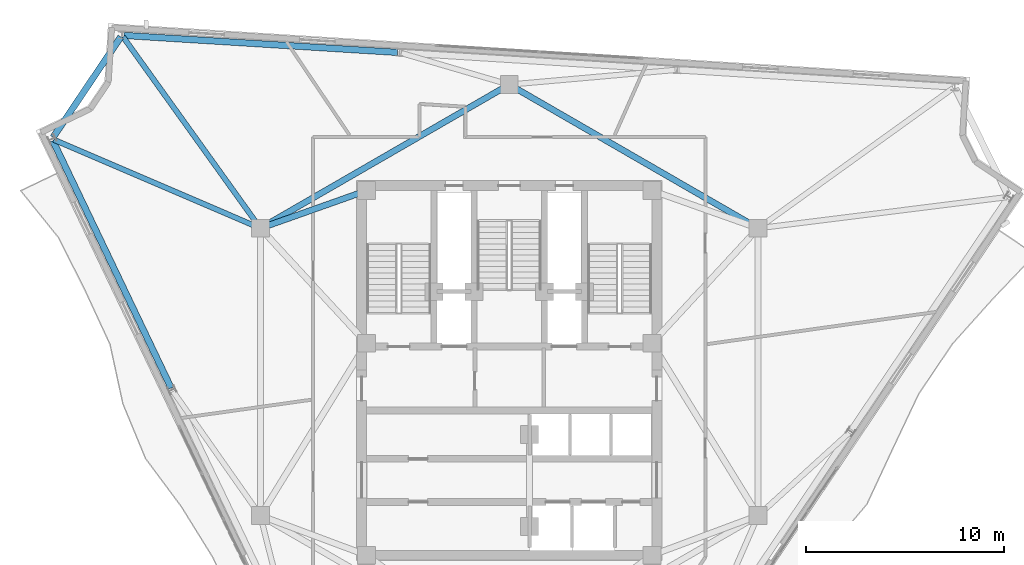
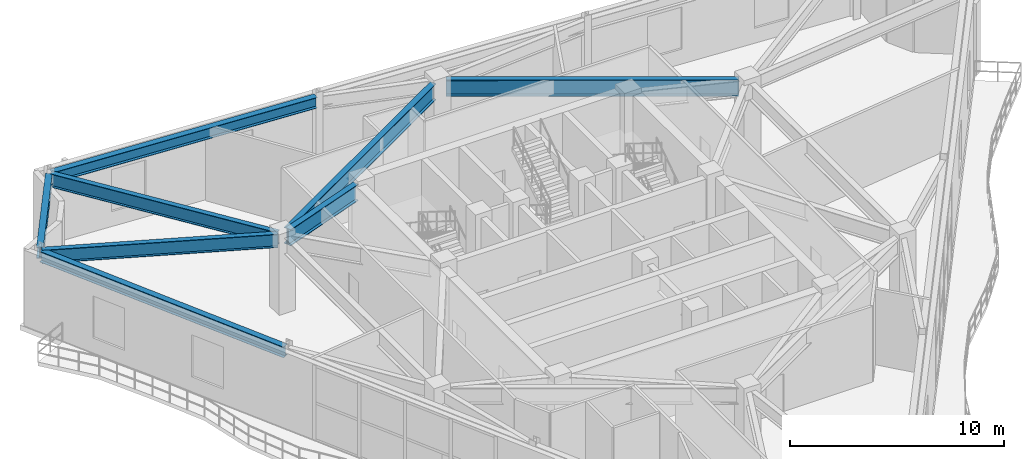
# One storey, part 7 of 15: 8 beams.
"""IFC4 building model written with IfcOpenShell, lengths in metres."""

from ifc_helpers import new_model, si_unit, direction, frame, origin, origin_2d, place, context, subcontext, project, spatial, i_section, extrude, material, material_profile, profile_set, type_object, element, save


model = new_model("IFC4")

# Units and contexts
model_context = context("Model", 3, precision=1e-05, world=origin(), true_north=direction((0.0, 1.0)))
body_context = subcontext(model_context, "Body", "Model", "MODEL_VIEW")
ifc_project = project(units=[si_unit("LENGTHUNIT", "METRE"), si_unit("AREAUNIT", "SQUARE_METRE"), si_unit("VOLUMEUNIT", "CUBIC_METRE"), si_unit("PLANEANGLEUNIT", "RADIAN"), si_unit("MASSUNIT", "GRAM", prefix="KILO")], contexts=[model_context])

# Site, building, storey
site_placement = place(None, origin())
site = spatial("IfcSite", under=ifc_project, at=site_placement, CompositionType="ELEMENT")
building_placement = place(site_placement, origin())
building = spatial("IfcBuilding", under=site, at=building_placement, Name="Apsidion Concourse Tower", CompositionType="ELEMENT")
storey_placement = place(building_placement, frame((0.0, 0.0, 318.800048828125)))
storey = spatial("IfcBuildingStorey", under=building, at=storey_placement, Name="L75", CompositionType="ELEMENT", Elevation=318.800048828125)

# Beams
ifc_material = material(Name="Structural steel ASTM A992 Grade 50", Category="steel")
ifc_material_profile_1 = material_profile(ifc_material, i_section(OverallWidth=0.31005859375, OverallDepth=0.931884765625, WebThickness=0.02099609375, FlangeThickness=0.034423828125, at=origin_2d()), Name="W36X210")
ifc_profile_set_1 = profile_set([ifc_material_profile_1], Name="Structural steel ASTM A992 Grade 50")
beam_type_1 = type_object("IfcBeamType", Name="BM-G-W36", PredefinedType="USERDEFINED", material=ifc_profile_set_1)
beam_1_placement = place(storey_placement, frame((-12.18310546875, 7.383544921875, 3.85400390625), z_axis=(0.942533844539, 0.334110688094, 0.0), x_axis=(-0.334110688094, 0.942533844539, 0.0)))
element("IfcBeam", 1, at=beam_1_placement, inside=storey, type_object=beam_type_1, Name="L75 Core Coupling Girder IC5-SC5", ObjectType="GIRDER", PredefinedType="USERDEFINED", context=body_context, shape_type="SweptSolid", body=[
    extrude(i_section(OverallWidth=0.31005859375, OverallDepth=0.931884765625, WebThickness=0.02099609375, FlangeThickness=0.034423828125, at=origin_2d()), origin(), (0.0, 0.0, 1.0), 4.886962890625),
])
for number, where, z_axis, x_axis, name in (
    (2, (-12.213623046875, 7.449951171875, 3.85400390625), (0.866070471464, 0.499921932364, 0.0), (-0.499921932364, 0.866070471464, 0.0), "L75 Core Coupling Girder IC5-IC4"),
    (3, (0.346435546875, 14.300048828125, 3.85400390625), (0.866070471464, -0.499921932364, 0.0), (0.499921932364, 0.866070471464, 0.0), "L75 Core Coupling Girder IC4-IC3"),
):
    element("IfcBeam", number, at=place(storey_placement, frame(where, z_axis=z_axis, x_axis=x_axis)), inside=storey, type_object=beam_type_1, Name=name, ObjectType="GIRDER", PredefinedType="USERDEFINED", context=body_context, shape_type="SweptSolid", body=[
        extrude(i_section(OverallWidth=0.31005859375, OverallDepth=0.931884765625, WebThickness=0.02099609375, FlangeThickness=0.034423828125, at=origin_2d()), origin(), (0.0, 0.0, 1.0), 13.702392578125),
    ])
ifc_material_profile_2 = material_profile(ifc_material, i_section(OverallWidth=0.324951171875, OverallDepth=0.616943359375, WebThickness=0.013916015625, FlangeThickness=0.021484375, at=origin_2d()), Name="W24X117")
ifc_profile_set_2 = profile_set([ifc_material_profile_2], Name="Structural steel ASTM A992 Grade 50")
beam_type_2 = type_object("IfcBeamType", Name="BM-SP-W24", PredefinedType="SPANDREL", material=ifc_profile_set_2)
for number, where, z_axis, x_axis, name in (
    (4, (-23.0302734375, 11.66845703125, 4.011474609375), (0.431360581796, -0.902179609874, 0.0), (0.902179609874, 0.431360581796, 0.0), "L75 Perimeter Spandrel Girder SP-01"),
    (5, (-5.637939453125, 16.12451171875, 4.011474609375), (-0.998076537228, 0.061993756414, 0.0), (-0.061993756414, -0.998076537228, 0.0), "L75 Perimeter Spandrel Girder SP-11"),
):
    element("IfcBeam", number, at=place(storey_placement, frame(where, z_axis=z_axis, x_axis=x_axis)), inside=storey, type_object=beam_type_2, Name=name, PredefinedType="SPANDREL", context=body_context, shape_type="SweptSolid", body=[
        extrude(i_section(OverallWidth=0.324951171875, OverallDepth=0.616943359375, WebThickness=0.013916015625, FlangeThickness=0.021484375, at=origin_2d()), origin(), (0.0, 0.0, 1.0), 13.834716796875),
    ])
beam_2_placement = place(storey_placement, frame((-19.601806640625, 16.905517578125, 4.011474609375), z_axis=(-0.559174891641, -0.829049721403, 0.0), x_axis=(0.829049721403, -0.559174891641, 0.0)))
element("IfcBeam", 6, at=beam_2_placement, inside=storey, type_object=beam_type_2, Name="L75 Perimeter Spandrel Girder SP-12", PredefinedType="SPANDREL", context=body_context, shape_type="SweptSolid", body=[
    extrude(i_section(OverallWidth=0.324951171875, OverallDepth=0.616943359375, WebThickness=0.013916015625, FlangeThickness=0.021484375, at=origin_2d()), origin(), (0.0, 0.0, 1.0), 6.108154296875),
])
ifc_material_profile_3 = material_profile(ifc_material, i_section(OverallWidth=0.26806640625, OverallDepth=0.77001953125, WebThickness=0.015625, FlangeThickness=0.025390625, at=origin_2d()), Name="W30X132")
ifc_profile_set_3 = profile_set([ifc_material_profile_3], Name="Structural steel ASTM A992 Grade 50")
beam_type_3 = type_object("IfcBeamType", Name="BM-SP-W30", PredefinedType="SPANDREL", material=ifc_profile_set_3)
beam_3_placement = place(storey_placement, frame((-12.76220703125, 7.336669921875, 3.93505859375), z_axis=(-0.919050742632, 0.3941392298, 0.0), x_axis=(-0.3941392298, -0.919050742632, 0.0)))
element("IfcBeam", 7, at=beam_3_placement, inside=storey, type_object=beam_type_3, Name="L75 Radial Floor Girder RAD-01", PredefinedType="SPANDREL", context=body_context, shape_type="SweptSolid", body=[
    extrude(i_section(OverallWidth=0.26806640625, OverallDepth=0.77001953125, WebThickness=0.015625, FlangeThickness=0.025390625, at=origin_2d()), origin(), (0.0, 0.0, 1.0), 11.119384765625),
])
beam_4_placement = place(storey_placement, frame((-12.688232421875, 7.4287109375, 3.93505859375), z_axis=(-0.582890152065, 0.812550964941, 0.0), x_axis=(-0.812550964941, -0.582890152065, 0.0)))
element("IfcBeam", 8, at=beam_4_placement, inside=storey, type_object=beam_type_3, Name="L75 Radial Floor Girder RAD-12", PredefinedType="SPANDREL", context=body_context, shape_type="SweptSolid", body=[
    extrude(i_section(OverallWidth=0.26806640625, OverallDepth=0.77001953125, WebThickness=0.015625, FlangeThickness=0.025390625, at=origin_2d()), origin(), (0.0, 0.0, 1.0), 11.664794921875),
])

save(model, "model.ifc")
